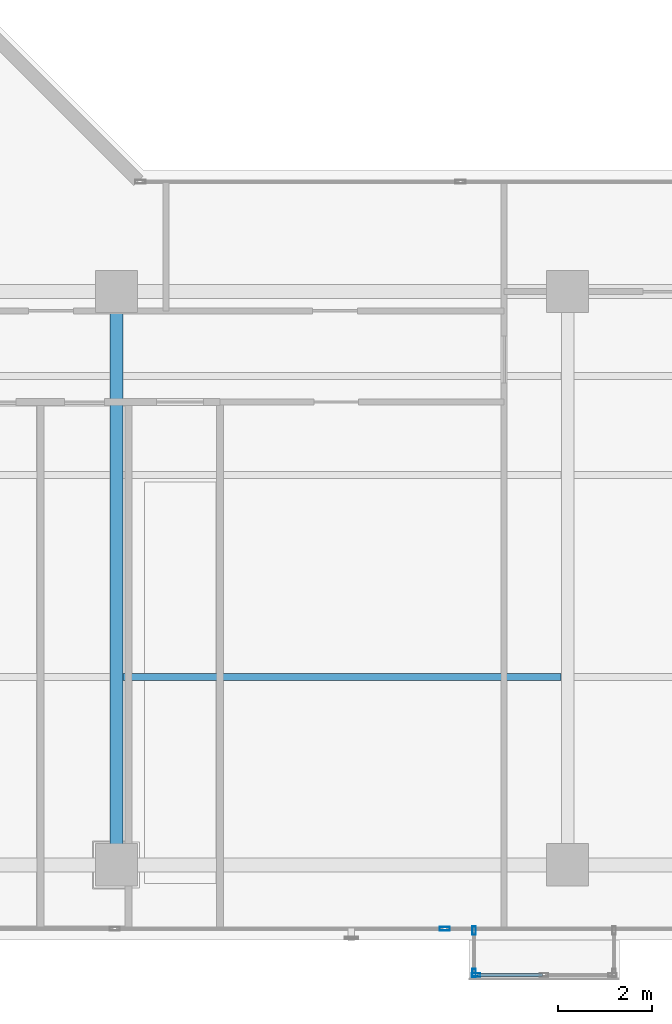
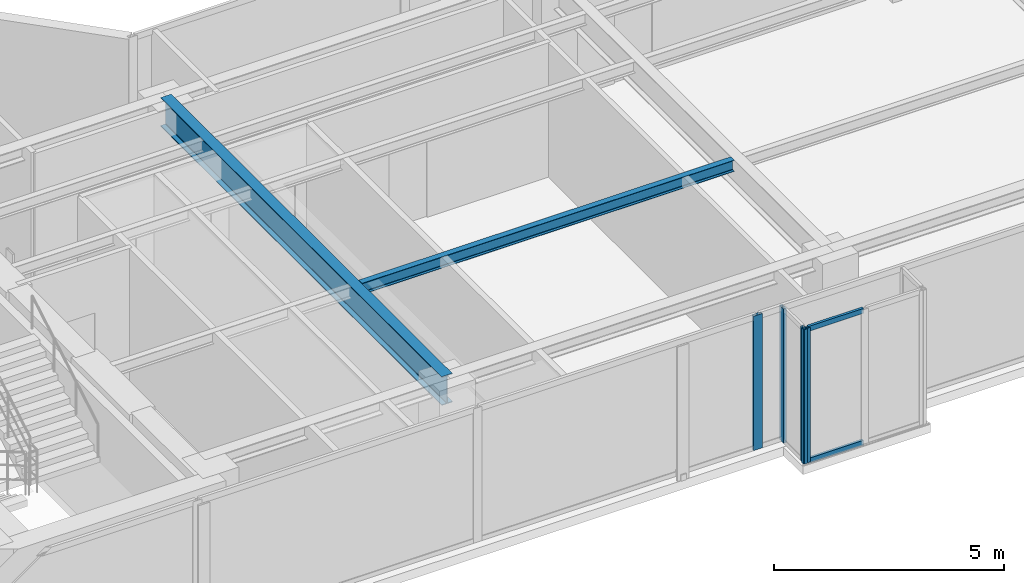
# One storey, part 5 of 23: 6 members, 2 beams, 3 elements without a shape of their own.
"""IFC4 building model written with IfcOpenShell, lengths in metres."""

from ifc_helpers import new_model, si_unit, direction, frame, origin, origin_with_axes, origin_2d, place, context, subcontext, project, spatial, hollow_rectangle, i_section, extrude, source, transform, mapped, material, layer, layer_set, material_profile, profile_set, type_object, element, aggregate, save


model = new_model("IFC4")

# Units and contexts
model_context = context("Model", 3, precision=1e-05, world=origin(), true_north=direction((0.0, 1.0)))
body_context = subcontext(model_context, "Body", "Model", "MODEL_VIEW")
ifc_project = project(units=[si_unit("LENGTHUNIT", "METRE"), si_unit("AREAUNIT", "SQUARE_METRE"), si_unit("VOLUMEUNIT", "CUBIC_METRE"), si_unit("PLANEANGLEUNIT", "RADIAN"), si_unit("MASSUNIT", "GRAM", prefix="KILO")], contexts=[model_context])

# Site, building, storey
site_placement = place(None, origin())
site = spatial("IfcSite", under=ifc_project, at=site_placement, CompositionType="ELEMENT")
building_placement = place(site_placement, origin())
building = spatial("IfcBuilding", under=site, at=building_placement, Name="Kolvaren Waterfront Exchange", CompositionType="ELEMENT")
storey_placement = place(building_placement, frame((0.0, 0.0, 270.39990234375)))
storey = spatial("IfcBuildingStorey", under=building, at=storey_placement, Name="L69", CompositionType="ELEMENT", Elevation=270.39990234375)

# Beams
ifc_material_1 = material(Name="Steel S355", Category="steel")
ifc_material_profile_1 = material_profile(ifc_material_1, i_section(OverallWidth=0.14990234375, OverallDepth=0.300048828125, WebThickness=0.007080078125, FlangeThickness=0.0107421875, FilletRadius=0.014892578125, at=origin_2d()), Name="IPE300")
ifc_profile_set_1 = profile_set([ifc_material_profile_1], Name="Steel S355")
beam_type_1 = type_object("IfcBeamType", Name="STR-BM-IPE300", PredefinedType="JOIST", material=ifc_profile_set_1)
beam_1_placement = place(storey_placement, frame((27.33544921875, 9.199951171875, 3.41015625), z_axis=(1.0, 0.0, 0.0), x_axis=(0.0, 1.0, 0.0)))
element("IfcBeam", 1, at=beam_1_placement, inside=storey, type_object=beam_type_1, Name="L69 east-arm composite joist 2B", PredefinedType="JOIST", context=body_context, shape_type="SweptSolid", body=[
    extrude(i_section(OverallWidth=0.14990234375, OverallDepth=0.300048828125, WebThickness=0.007080078125, FlangeThickness=0.0107421875, FilletRadius=0.014892578125, at=origin_2d()), origin(), (0.0, 0.0, 1.0), 9.3291015625),
])
ifc_material_profile_2 = material_profile(ifc_material_1, i_section(OverallWidth=0.26708984375, OverallDepth=0.761962890625, WebThickness=0.014404296875, FlangeThickness=0.021484375, FilletRadius=0.01708984375, at=origin_2d()), Name="IPE750x173")
ifc_profile_set_2 = profile_set([ifc_material_profile_2], Name="Steel S355")
beam_type_2 = type_object("IfcBeamType", Name="STR-BM-IPE750", PredefinedType="BEAM", material=ifc_profile_set_2)
beam_2_placement = place(storey_placement, frame((27.199951171875, 5.199951171875, 3.17919921875), z_axis=(0.0, 1.0, 0.0), x_axis=(-1.0, 0.0, 0.0)))
element("IfcBeam", 2, at=beam_2_placement, inside=storey, type_object=beam_type_2, Name="L69 east-arm transverse girder X27", PredefinedType="BEAM", context=body_context, shape_type="SweptSolid", body=[
    extrude(i_section(OverallWidth=0.26708984375, OverallDepth=0.761962890625, WebThickness=0.014404296875, FlangeThickness=0.021484375, FilletRadius=0.01708984375, at=origin_2d()), origin(), (0.0, 0.0, 1.0), 12.199951171875),
])

# Curtain wall, members
ifc_material_2 = material(Name="Anodised bronze aluminium 6063-T6", Category="aluminium")
ifc_layer_1 = layer(ifc_material_2, 0.219970703125, Name="Anodised bronze aluminium 6063-T6")
ifc_layer_set_1 = layer_set([ifc_layer_1], Name="Anodised bronze aluminium 6063-T6")
curtain_wall_type_1 = type_object("IfcCurtainWallType", Name="ARC-CW-SYS3", PredefinedType="USERDEFINED", material=ifc_layer_set_1)
curtain_wall_1_placement = place(storey_placement, origin())
curtain_wall_1 = element("IfcCurtainWall", 3, at=curtain_wall_1_placement, inside=storey, type_object=curtain_wall_type_1, Name="L69 stick curtain wall CW3 (CW-L69-BOX)", ObjectType="STICK CURTAIN WALL", PredefinedType="USERDEFINED")
ifc_material_profile_3 = material_profile(ifc_material_2, hollow_rectangle(XDim=0.06494140625, YDim=0.1298828125, WallThickness=0.00390625, at=origin_2d()), Name="ALU-TRN-130x65x4")
ifc_profile_set_3 = profile_set([ifc_material_profile_3], Name="Anodised bronze aluminium 6063-T6")
member_type_1 = type_object("IfcMemberType", Name="ARC-CWT-130", PredefinedType="USERDEFINED", material=ifc_profile_set_3)
shared_shape_1 = source(origin_with_axes(), body_context, "Body", "SweptSolid", [
    extrude(hollow_rectangle(XDim=0.06494140625, YDim=0.1298828125, WallThickness=0.00390625, at=origin_2d()), origin(), (0.0, 0.0, 1.0), 1.37744140625),
])
member_1_placement = place(storey_placement, frame((34.885009765625, 2.860107421875, 0.03271484375), z_axis=(1.0, 0.0, 0.0), x_axis=(0.0, 1.0, 0.0)))
member_1 = element("IfcMember", 4, at=member_1_placement, type_object=member_type_1, Name="CW3 transom 1.1", ObjectType="TRANSOM", PredefinedType="USERDEFINED", context=body_context, shape_type="MappedRepresentation", body=[
    mapped(shared_shape_1, transform((0.0, 0.0, 0.0), x_axis=(1.0, 0.0, 0.0), y_axis=(0.0, 1.0, 0.0), z_axis=(0.0, 0.0, 1.0), scale=1.0)),
])
member_2_placement = place(storey_placement, frame((34.885009765625, 2.860107421875, 3.527587890625), z_axis=(1.0, 0.0, 0.0), x_axis=(0.0, 1.0, 0.0)))
member_2 = element("IfcMember", 5, at=member_2_placement, type_object=member_type_1, Name="CW3 transom 1.2", ObjectType="TRANSOM", PredefinedType="USERDEFINED", context=body_context, shape_type="MappedRepresentation", body=[
    mapped(shared_shape_1, transform((0.0, 0.0, 0.0), x_axis=(1.0, 0.0, 0.0), y_axis=(0.0, 1.0, 0.0), z_axis=(0.0, 0.0, 1.0), scale=1.0)),
])

curtain_wall_2_placement = place(storey_placement, origin())
curtain_wall_2 = element("IfcCurtainWall", 6, at=curtain_wall_2_placement, inside=storey, type_object=curtain_wall_type_1, Name="L69 stick curtain wall CW3 (CW-L69-BOX-W)", ObjectType="STICK CURTAIN WALL", PredefinedType="USERDEFINED")
ifc_material_profile_4 = material_profile(ifc_material_2, hollow_rectangle(XDim=0.074951171875, YDim=0.179931640625, WallThickness=0.00439453125, at=origin_2d()), Name="ALU-MUL-180x75x4.5")
ifc_profile_set_4 = profile_set([ifc_material_profile_4], Name="Anodised bronze aluminium 6063-T6")
member_type_2 = type_object("IfcMemberType", Name="ARC-CWM-180", PredefinedType="MULLION", material=ifc_profile_set_4)
shared_shape_2 = source(origin_with_axes(), body_context, "Body", "SweptSolid", [
    extrude(hollow_rectangle(XDim=0.074951171875, YDim=0.179931640625, WallThickness=0.00439453125, at=origin_2d()), origin(), (0.0, 0.0, 1.0), 3.56005859375),
])
member_3_placement = place(storey_placement, frame((34.81005859375, 3.802490234375, 0.0), z_axis=(0.0, 0.0, 1.0), x_axis=(1.0, 0.0, 0.0)))
member_3 = element("IfcMember", 7, at=member_3_placement, type_object=member_type_2, Name="CW3 mullion 1", PredefinedType="MULLION", context=body_context, shape_type="MappedRepresentation", body=[
    mapped(shared_shape_2, transform((0.0, 0.0, 0.0), x_axis=(1.0, 0.0, 0.0), y_axis=(0.0, 1.0, 0.0), z_axis=(0.0, 0.0, 1.0), scale=1.0)),
])
member_4_placement = place(storey_placement, frame((34.81005859375, 2.8974609375, 0.0), z_axis=(0.0, 0.0, 1.0), x_axis=(1.0, 0.0, 0.0)))
member_4 = element("IfcMember", 8, at=member_4_placement, type_object=member_type_2, Name="CW3 mullion 2", PredefinedType="MULLION", context=body_context, shape_type="MappedRepresentation", body=[
    mapped(shared_shape_2, transform((0.0, 0.0, 0.0), x_axis=(1.0, 0.0, 0.0), y_axis=(0.0, 1.0, 0.0), z_axis=(0.0, 0.0, 1.0), scale=1.0)),
])
aggregate(curtain_wall_2, [member_3, member_4])

# Member
member_5_placement = place(storey_placement, frame((34.847412109375, 2.860107421875, 0.0), z_axis=(0.0, 0.0, 1.0), x_axis=(0.0, 1.0, 0.0)))
member_5 = element("IfcMember", 9, at=member_5_placement, type_object=member_type_2, Name="CW3 mullion 1", PredefinedType="MULLION", context=body_context, shape_type="MappedRepresentation", body=[
    mapped(shared_shape_2, transform((0.0, 0.0, 0.0), x_axis=(1.0, 0.0, 0.0), y_axis=(0.0, 1.0, 0.0), z_axis=(0.0, 0.0, 1.0), scale=1.0)),
])

aggregate(curtain_wall_1, [member_5, member_1, member_2])

# Curtain wall, member
ifc_layer_2 = layer(ifc_material_2, 0.219970703125, Name="Anodised bronze aluminium 6063-T6")
ifc_layer_set_2 = layer_set([ifc_layer_2], Name="Anodised bronze aluminium 6063-T6")
curtain_wall_type_2 = type_object("IfcCurtainWallType", Name="ARC-CW-SYS1", PredefinedType="USERDEFINED", material=ifc_layer_set_2)
curtain_wall_3_placement = place(storey_placement, origin())
curtain_wall_3 = element("IfcCurtainWall", 10, at=curtain_wall_3_placement, inside=storey, type_object=curtain_wall_type_2, Name="L69 stick curtain wall CW1 (CW-L69-S)", ObjectType="STICK CURTAIN WALL", PredefinedType="USERDEFINED")
ifc_material_3 = material(Name="Anodised aluminium 6063-T6", Category="aluminium")
ifc_material_profile_5 = material_profile(ifc_material_3, hollow_rectangle(XDim=0.080078125, YDim=0.219970703125, WallThickness=0.0048828125, at=origin_2d()), Name="ALU-MUL-220x80x5")
ifc_profile_set_5 = profile_set([ifc_material_profile_5], Name="Anodised aluminium 6063-T6")
member_type_3 = type_object("IfcMemberType", Name="ARC-CWM-220", PredefinedType="MULLION", material=ifc_profile_set_5)
shared_shape_3 = source(origin_with_axes(), body_context, "Body", "SweptSolid", [
    extrude(hollow_rectangle(XDim=0.080078125, YDim=0.219970703125, WallThickness=0.0048828125, at=origin_2d()), origin(), (0.0, 0.0, 1.0), 3.56005859375),
])
member_6_placement = place(storey_placement, frame((34.18408203125, 3.840087890625, 0.0), z_axis=(0.0, 0.0, 1.0), x_axis=(0.0, 1.0, 0.0)))
member_6 = element("IfcMember", 11, at=member_6_placement, type_object=member_type_3, Name="CW1 mullion 5", PredefinedType="MULLION", context=body_context, shape_type="MappedRepresentation", body=[
    mapped(shared_shape_3, transform((0.0, 0.0, 0.0), x_axis=(1.0, 0.0, 0.0), y_axis=(0.0, 1.0, 0.0), z_axis=(0.0, 0.0, 1.0), scale=1.0)),
])
aggregate(curtain_wall_3, [member_6])

save(model, "model.ifc")
